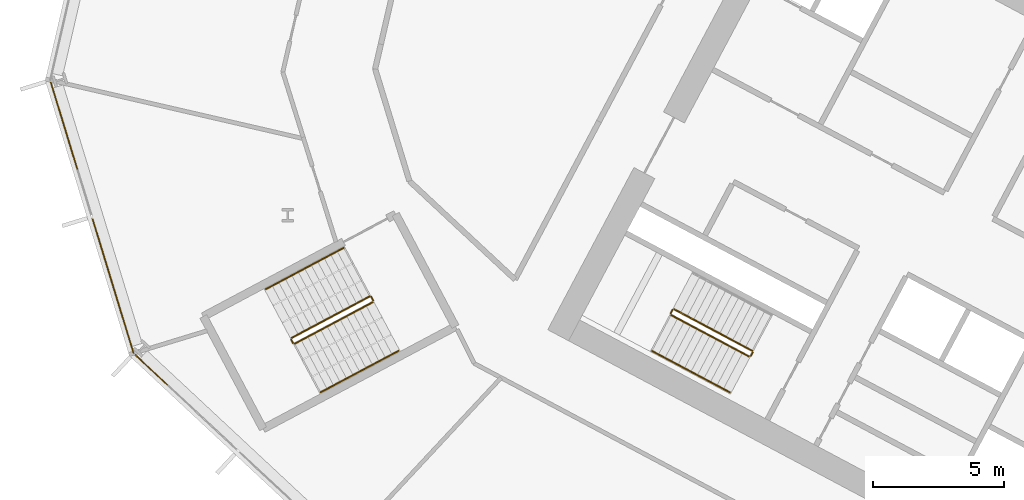
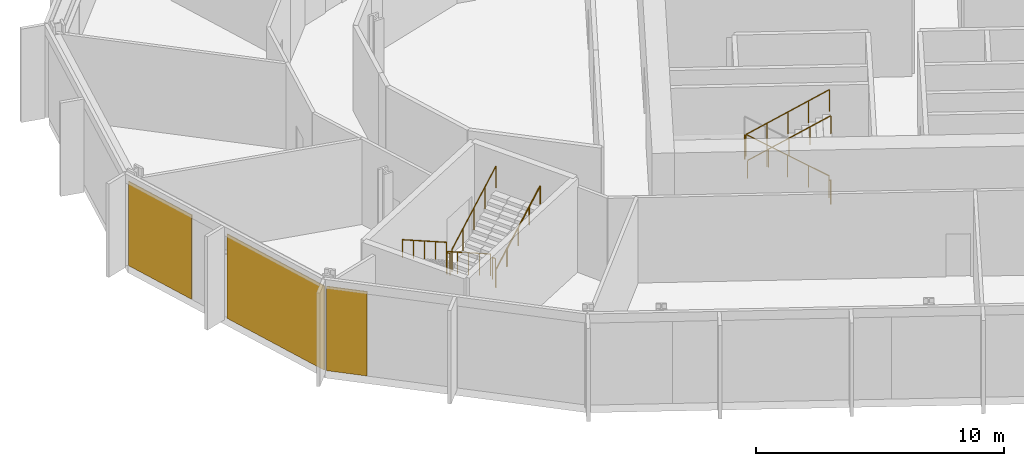
# One storey, part 22 of 30: 11 railings, 3 coverings, 2 elements without a shape of their own.
"""IFC4 building model written with IfcOpenShell, lengths in metres."""

from ifc_helpers import new_model, si_unit, direction, frame, origin, origin_2d, place, context, subcontext, project, spatial, polyline, rectangle, outline, extrude, material, layer, layer_set, type_object, element, aggregate, save


model = new_model("IFC4")

# Units and contexts
model_context = context("Model", 3, precision=1e-05, world=origin(), true_north=direction((0.0, 1.0)))
body_context = subcontext(model_context, "Body", "Model", "MODEL_VIEW")
ifc_project = project(units=[si_unit("LENGTHUNIT", "METRE"), si_unit("AREAUNIT", "SQUARE_METRE"), si_unit("VOLUMEUNIT", "CUBIC_METRE"), si_unit("PLANEANGLEUNIT", "RADIAN"), si_unit("MASSUNIT", "GRAM", prefix="KILO")], contexts=[model_context])

# Site, building, storey
site_placement = place(None, origin())
site = spatial("IfcSite", under=ifc_project, at=site_placement, CompositionType="ELEMENT")
building_placement = place(site_placement, origin())
building = spatial("IfcBuilding", under=site, at=building_placement, Name="Cormorant Relay Tower", CompositionType="ELEMENT")
storey_placement = place(building_placement, frame((0.0, 0.0, 89.199951171875)))
storey = spatial("IfcBuildingStorey", under=building, at=storey_placement, Name="L17", CompositionType="ELEMENT", Elevation=89.199951171875)

# Curtain wall, coverings
ifc_material_1 = material(Name="Aluminium 6063-T6 anodised bronze", Category="aluminium")
ifc_layer_1 = layer(ifc_material_1, 0.199951171875)
ifc_layer_set_1 = layer_set([ifc_layer_1], Name="CW1 unitised bronze curtain wall with vertical fins")
curtain_wall_type = type_object("IfcCurtainWallType", Name="CW1 unitised bronze curtain wall with vertical fins", PredefinedType="NOTDEFINED", material=ifc_layer_set_1)
curtain_wall_1_placement = place(storey_placement, origin())
curtain_wall_1 = element("IfcCurtainWall", 1, at=curtain_wall_1_placement, inside=storey, type_object=curtain_wall_type, Name="CW1 curtain wall 12", PredefinedType="NOTDEFINED")
ifc_material_2 = material(Name="Pale bronze anodised aluminium insulated panel", Category="aluminium")
ifc_layer_2 = layer(ifc_material_2, 0.0400390625)
ifc_layer_set_2 = layer_set([ifc_layer_2], Name="CW1 pale bronze insulated panel 40")
covering_type = type_object("IfcCoveringType", Name="CW1 pale bronze insulated panel 40", PredefinedType="CLADDING", material=ifc_layer_set_2)
covering_1_placement = place(storey_placement, frame((-60.20751953125, 18.6494140625, 0.0), z_axis=(0.0, 0.0, 1.0), x_axis=(0.292371704723, -0.956304755963, 0.0)))
covering_1 = element("IfcCovering", 2, at=covering_1_placement, type_object=covering_type, Name="CW1 panel S00", PredefinedType="CLADDING", context=body_context, shape_type="SweptSolid", body=[
    extrude(rectangle(XDim=3.485107421875, YDim=0.0400390625, at=origin_2d()), origin(), (0.0, 0.0, 1.0), 4.14990234375),
])
covering_2_placement = place(storey_placement, frame((-58.344482421875, 12.55517578125, 0.0), z_axis=(0.0, 0.0, 1.0), x_axis=(0.292371704723, -0.956304755963, 0.0)))
covering_2 = element("IfcCovering", 3, at=covering_2_placement, type_object=covering_type, Name="CW1 panel S02", PredefinedType="CLADDING", context=body_context, shape_type="SweptSolid", body=[
    extrude(rectangle(XDim=5.360107421875, YDim=0.0400390625, at=origin_2d()), origin(), (0.0, 0.0, 1.0), 4.14990234375),
])
aggregate(curtain_wall_1, [covering_1, covering_2])

# Curtain wall, covering
curtain_wall_2_placement = place(storey_placement, origin())
curtain_wall_2 = element("IfcCurtainWall", 4, at=curtain_wall_2_placement, inside=storey, type_object=curtain_wall_type, Name="CW1 curtain wall 13", PredefinedType="NOTDEFINED")
covering_3_placement = place(storey_placement, frame((-56.88427734375, 9.357421875, 0.0), z_axis=(0.0, 0.0, 1.0), x_axis=(0.731353701619, -0.681998360062, 0.0)))
covering_3 = element("IfcCovering", 5, at=covering_3_placement, type_object=covering_type, Name="CW1 panel S00", PredefinedType="CLADDING", context=body_context, shape_type="SweptSolid", body=[
    extrude(rectangle(XDim=1.685302734375, YDim=0.0400390625, at=origin_2d()), origin(), (0.0, 0.0, 1.0), 4.14990234375),
])
aggregate(curtain_wall_2, [covering_3])

# Railings
ifc_material_3 = material(Name="Steel ASTM A572 Grade 50 (Fy 345 MPa)", Category="steel")
railing_type_1 = type_object("IfcRailingType", Name="Stair guard 1100", PredefinedType="GUARDRAIL", material=ifc_material_3)
railing_1_placement = place(storey_placement, frame((-33.9921875, 10.08935546875, 0.177001953125)))
element("IfcRailing", 6, at=railing_1_placement, inside=storey, type_object=railing_type_1, Name="L17 A2 stair guard 1", PredefinedType="GUARDRAIL", context=body_context, shape_type="SweptSolid", body=[
    extrude(outline(polyline([(0.022216796875, 0.00927734375), (0.00927734375, 0.022216796875), (-0.00927734375, 0.022216796875), (-0.022216796875, 0.00927734375), (-0.022216796875, -0.00927734375), (-0.00927734375, -0.022216796875), (0.00927734375, -0.022216796875), (0.022216796875, -0.00927734375), (0.022216796875, 0.00927734375)])), frame((0.0, 0.0, 1.076171875), z_axis=(-0.746440668329, 0.396869088057, 0.534154711306), x_axis=(-0.46945269911, -0.882957622595, 0.0)), (0.0, 0.0, 1.0), 3.974609375),
    extrude(outline(polyline([(0.019287109375, 0.008056640625), (0.008056640625, 0.019287109375), (-0.008056640625, 0.019287109375), (-0.019287109375, 0.008056640625), (-0.019287109375, -0.008056640625), (-0.008056640625, -0.019287109375), (0.008056640625, -0.019287109375), (0.019287109375, -0.008056640625), (0.019287109375, 0.008056640625)])), origin(), (0.0, 0.0, 1.0), 1.052001953125),
    extrude(outline(polyline([(0.019287109375, 0.008056640625), (0.008056640625, 0.019287109375), (-0.008056640625, 0.019287109375), (-0.019287109375, 0.008056640625), (-0.019287109375, -0.008056640625), (-0.008056640625, -0.019287109375), (0.008056640625, -0.019287109375), (0.019287109375, -0.008056640625), (0.019287109375, 0.008056640625)])), frame((-0.74169921875, 0.394287109375, 0.53076171875)), (0.0, 0.0, 1.0), 1.052001953125),
    extrude(outline(polyline([(0.019287109375, 0.008056640625), (0.008056640625, 0.019287109375), (-0.008056640625, 0.019287109375), (-0.019287109375, 0.008056640625), (-0.019287109375, -0.008056640625), (-0.008056640625, -0.019287109375), (0.008056640625, -0.019287109375), (0.019287109375, -0.008056640625), (0.019287109375, 0.008056640625)])), frame((-1.4833984375, 0.78857421875, 1.0615234375)), (0.0, 0.0, 1.0), 1.052001953125),
    extrude(outline(polyline([(0.019287109375, 0.008056640625), (0.008056640625, 0.019287109375), (-0.008056640625, 0.019287109375), (-0.019287109375, 0.008056640625), (-0.019287109375, -0.008056640625), (-0.008056640625, -0.019287109375), (0.008056640625, -0.019287109375), (0.019287109375, -0.008056640625), (0.019287109375, 0.008056640625)])), frame((-2.22509765625, 1.18310546875, 1.59228515625)), (0.0, 0.0, 1.0), 1.052001953125),
    extrude(outline(polyline([(0.019287109375, 0.008056640625), (0.008056640625, 0.019287109375), (-0.008056640625, 0.019287109375), (-0.019287109375, 0.008056640625), (-0.019287109375, -0.008056640625), (-0.008056640625, -0.019287109375), (0.008056640625, -0.019287109375), (0.019287109375, -0.008056640625), (0.019287109375, 0.008056640625)])), frame((-2.966796875, 1.577392578125, 2.123046875)), (0.0, 0.0, 1.0), 1.052001953125),
])
railing_2_placement = place(storey_placement, frame((-37.026611328125, 11.64599609375, 2.300048828125)))
element("IfcRailing", 7, at=railing_2_placement, inside=storey, type_object=railing_type_1, Name="L17 A2 stair guard 2", PredefinedType="GUARDRAIL", context=body_context, shape_type="SweptSolid", body=[
    extrude(outline(polyline([(0.022216796875, 0.00927734375), (0.00927734375, 0.022216796875), (-0.00927734375, 0.022216796875), (-0.022216796875, 0.00927734375), (-0.022216796875, -0.00927734375), (-0.00927734375, -0.022216796875), (0.00927734375, -0.022216796875), (0.022216796875, -0.00927734375), (0.022216796875, 0.00927734375)])), frame((0.0, 0.0, 1.076171875), z_axis=(-0.469234640946, -0.883073525669, 0.0), x_axis=(0.883073525669, -0.469234640946, 0.0)), (0.0, 0.0, 1.0), 0.14990234375),
    extrude(outline(polyline([(0.019287109375, 0.008056640625), (0.008056640625, 0.019287109375), (-0.008056640625, 0.019287109375), (-0.019287109375, 0.008056640625), (-0.019287109375, -0.008056640625), (-0.008056640625, -0.019287109375), (0.008056640625, -0.019287109375), (0.019287109375, -0.008056640625), (0.019287109375, 0.008056640625)])), origin(), (0.0, 0.0, 1.0), 1.052001953125),
    extrude(outline(polyline([(0.019287109375, 0.008056640625), (0.008056640625, 0.019287109375), (-0.008056640625, 0.019287109375), (-0.019287109375, 0.008056640625), (-0.019287109375, -0.008056640625), (-0.008056640625, -0.019287109375), (0.008056640625, -0.019287109375), (0.019287109375, -0.008056640625), (0.019287109375, 0.008056640625)])), frame((-0.0703125, -0.13232421875, 0.0)), (0.0, 0.0, 1.0), 1.052001953125),
])
railing_3_placement = place(storey_placement, frame((-37.076171875, 11.446044921875, 2.47705078125)))
element("IfcRailing", 8, at=railing_3_placement, inside=storey, type_object=railing_type_1, Name="L17 A2 stair guard 3", PredefinedType="GUARDRAIL", context=body_context, shape_type="SweptSolid", body=[
    extrude(outline(polyline([(0.022216796875, 0.00927734375), (0.00927734375, 0.022216796875), (-0.00927734375, 0.022216796875), (-0.022216796875, 0.00927734375), (-0.022216796875, -0.00927734375), (-0.00927734375, -0.022216796875), (0.00927734375, -0.022216796875), (0.022216796875, -0.00927734375), (0.022216796875, 0.00927734375)])), frame((0.0, 0.0, 1.076171875), z_axis=(0.746413465702, -0.396887285154, 0.534179203172), x_axis=(0.469482818608, 0.88294160794, 0.0)), (0.0, 0.0, 1.0), 3.974365234375),
    extrude(outline(polyline([(0.019287109375, 0.008056640625), (0.008056640625, 0.019287109375), (-0.008056640625, 0.019287109375), (-0.019287109375, 0.008056640625), (-0.019287109375, -0.008056640625), (-0.008056640625, -0.019287109375), (0.008056640625, -0.019287109375), (0.019287109375, -0.008056640625), (0.019287109375, 0.008056640625)])), origin(), (0.0, 0.0, 1.0), 1.052001953125),
    extrude(outline(polyline([(0.019287109375, 0.008056640625), (0.008056640625, 0.019287109375), (-0.008056640625, 0.019287109375), (-0.019287109375, 0.008056640625), (-0.019287109375, -0.008056640625), (-0.008056640625, -0.019287109375), (0.008056640625, -0.019287109375), (0.019287109375, -0.008056640625), (0.019287109375, 0.008056640625)])), frame((0.74169921875, -0.394287109375, 0.53076171875)), (0.0, 0.0, 1.0), 1.052001953125),
    extrude(outline(polyline([(0.019287109375, 0.008056640625), (0.008056640625, 0.019287109375), (-0.008056640625, 0.019287109375), (-0.019287109375, 0.008056640625), (-0.019287109375, -0.008056640625), (-0.008056640625, -0.019287109375), (0.008056640625, -0.019287109375), (0.019287109375, -0.008056640625), (0.019287109375, 0.008056640625)])), frame((1.4833984375, -0.78857421875, 1.0615234375)), (0.0, 0.0, 1.0), 1.052001953125),
    extrude(outline(polyline([(0.019287109375, 0.008056640625), (0.008056640625, 0.019287109375), (-0.008056640625, 0.019287109375), (-0.019287109375, 0.008056640625), (-0.019287109375, -0.008056640625), (-0.008056640625, -0.019287109375), (0.008056640625, -0.019287109375), (0.019287109375, -0.008056640625), (0.019287109375, 0.008056640625)])), frame((2.224853515625, -1.18310546875, 1.59228515625)), (0.0, 0.0, 1.0), 1.052001953125),
    extrude(outline(polyline([(0.019287109375, 0.008056640625), (0.008056640625, 0.019287109375), (-0.008056640625, 0.019287109375), (-0.019287109375, 0.008056640625), (-0.019287109375, -0.008056640625), (-0.008056640625, -0.019287109375), (0.008056640625, -0.019287109375), (0.019287109375, -0.008056640625), (0.019287109375, 0.008056640625)])), frame((2.966552734375, -1.577392578125, 2.123046875)), (0.0, 0.0, 1.0), 1.052001953125),
])
railing_4_placement = place(storey_placement, frame((-33.971435546875, 10.021728515625, 0.0)))
element("IfcRailing", 9, at=railing_4_placement, inside=storey, type_object=railing_type_1, Name="L17 A2 stair guard 4", PredefinedType="GUARDRAIL", context=body_context, shape_type="SweptSolid", body=[
    extrude(outline(polyline([(0.022216796875, 0.00927734375), (0.00927734375, 0.022216796875), (-0.00927734375, 0.022216796875), (-0.022216796875, 0.00927734375), (-0.022216796875, -0.00927734375), (-0.00927734375, -0.022216796875), (0.00927734375, -0.022216796875), (0.022216796875, -0.00927734375), (0.022216796875, 0.00927734375)])), frame((0.0, 0.0, 1.076171875), z_axis=(-0.470503732759, -0.882398003998, 0.0), x_axis=(0.882398003998, -0.470503732759, 0.0)), (0.0, 0.0, 1.0), 0.14990234375),
    extrude(outline(polyline([(0.019287109375, 0.008056640625), (0.008056640625, 0.019287109375), (-0.008056640625, 0.019287109375), (-0.019287109375, 0.008056640625), (-0.019287109375, -0.008056640625), (-0.008056640625, -0.019287109375), (0.008056640625, -0.019287109375), (0.019287109375, -0.008056640625), (0.019287109375, 0.008056640625)])), origin(), (0.0, 0.0, 1.0), 1.052001953125),
    extrude(outline(polyline([(0.019287109375, 0.008056640625), (0.008056640625, 0.019287109375), (-0.008056640625, 0.019287109375), (-0.019287109375, 0.008056640625), (-0.019287109375, -0.008056640625), (-0.008056640625, -0.019287109375), (0.008056640625, -0.019287109375), (0.019287109375, -0.008056640625), (0.019287109375, 0.008056640625)])), frame((-0.070556640625, -0.13232421875, 0.0)), (0.0, 0.0, 1.0), 1.052001953125),
])
railing_5_placement = place(storey_placement, frame((-48.5693359375, 12.155517578125, 0.177001953125)))
element("IfcRailing", 10, at=railing_5_placement, inside=storey, type_object=railing_type_1, Name="L17 RP1 stair guard 1", PredefinedType="GUARDRAIL", context=body_context, shape_type="SweptSolid", body=[
    extrude(outline(polyline([(0.022216796875, 0.00927734375), (0.00927734375, 0.022216796875), (-0.00927734375, 0.022216796875), (-0.022216796875, 0.00927734375), (-0.022216796875, -0.00927734375), (-0.00927734375, -0.022216796875), (0.00927734375, -0.022216796875), (0.022216796875, -0.00927734375), (0.022216796875, 0.00927734375)])), frame((0.0, 0.0, 1.076171875), z_axis=(-0.746422470992, -0.396920836698, 0.534141689248), x_axis=(0.469509342547, -0.882927503967, 0.0)), (0.0, 0.0, 1.0), 3.974609375),
    extrude(outline(polyline([(0.019287109375, 0.008056640625), (0.008056640625, 0.019287109375), (-0.008056640625, 0.019287109375), (-0.019287109375, 0.008056640625), (-0.019287109375, -0.008056640625), (-0.008056640625, -0.019287109375), (0.008056640625, -0.019287109375), (0.019287109375, -0.008056640625), (0.019287109375, 0.008056640625)])), origin(), (0.0, 0.0, 1.0), 1.052001953125),
    extrude(outline(polyline([(0.019287109375, 0.008056640625), (0.008056640625, 0.019287109375), (-0.008056640625, 0.019287109375), (-0.019287109375, 0.008056640625), (-0.019287109375, -0.008056640625), (-0.008056640625, -0.019287109375), (0.008056640625, -0.019287109375), (0.019287109375, -0.008056640625), (0.019287109375, 0.008056640625)])), frame((-0.74169921875, -0.39453125, 0.53076171875)), (0.0, 0.0, 1.0), 1.052001953125),
    extrude(outline(polyline([(0.019287109375, 0.008056640625), (0.008056640625, 0.019287109375), (-0.008056640625, 0.019287109375), (-0.019287109375, 0.008056640625), (-0.019287109375, -0.008056640625), (-0.008056640625, -0.019287109375), (0.008056640625, -0.019287109375), (0.019287109375, -0.008056640625), (0.019287109375, 0.008056640625)])), frame((-1.4833984375, -0.788818359375, 1.0615234375)), (0.0, 0.0, 1.0), 1.052001953125),
    extrude(outline(polyline([(0.019287109375, 0.008056640625), (0.008056640625, 0.019287109375), (-0.008056640625, 0.019287109375), (-0.019287109375, 0.008056640625), (-0.019287109375, -0.008056640625), (-0.008056640625, -0.019287109375), (0.008056640625, -0.019287109375), (0.019287109375, -0.008056640625), (0.019287109375, 0.008056640625)])), frame((-2.22509765625, -1.18310546875, 1.59228515625)), (0.0, 0.0, 1.0), 1.052001953125),
    extrude(outline(polyline([(0.019287109375, 0.008056640625), (0.008056640625, 0.019287109375), (-0.008056640625, 0.019287109375), (-0.019287109375, 0.008056640625), (-0.019287109375, -0.008056640625), (-0.008056640625, -0.019287109375), (0.008056640625, -0.019287109375), (0.019287109375, -0.008056640625), (0.019287109375, 0.008056640625)])), frame((-2.966796875, -1.57763671875, 2.123046875)), (0.0, 0.0, 1.0), 1.052001953125),
])
railing_6_placement = place(storey_placement, frame((-51.556640625, 10.51025390625, 2.300048828125)))
element("IfcRailing", 11, at=railing_6_placement, inside=storey, type_object=railing_type_1, Name="L17 RP1 stair guard 2", PredefinedType="GUARDRAIL", context=body_context, shape_type="SweptSolid", body=[
    extrude(outline(polyline([(0.022216796875, 0.00927734375), (0.00927734375, 0.022216796875), (-0.00927734375, 0.022216796875), (-0.022216796875, 0.00927734375), (-0.022216796875, -0.00927734375), (-0.00927734375, -0.022216796875), (0.00927734375, -0.022216796875), (0.022216796875, -0.00927734375), (0.022216796875, 0.00927734375)])), frame((0.0, 0.0, 1.076171875), z_axis=(0.469234640946, -0.883073525669, 0.0), x_axis=(0.883073525669, 0.469234640946, 0.0)), (0.0, 0.0, 1.0), 0.14990234375),
    extrude(outline(polyline([(0.019287109375, 0.008056640625), (0.008056640625, 0.019287109375), (-0.008056640625, 0.019287109375), (-0.019287109375, 0.008056640625), (-0.019287109375, -0.008056640625), (-0.008056640625, -0.019287109375), (0.008056640625, -0.019287109375), (0.019287109375, -0.008056640625), (0.019287109375, 0.008056640625)])), origin(), (0.0, 0.0, 1.0), 1.052001953125),
    extrude(outline(polyline([(0.019287109375, 0.008056640625), (0.008056640625, 0.019287109375), (-0.008056640625, 0.019287109375), (-0.019287109375, 0.008056640625), (-0.019287109375, -0.008056640625), (-0.008056640625, -0.019287109375), (0.008056640625, -0.019287109375), (0.019287109375, -0.008056640625), (0.019287109375, 0.008056640625)])), frame((0.0703125, -0.13232421875, 0.0)), (0.0, 0.0, 1.0), 1.052001953125),
])
railing_7_placement = place(storey_placement, frame((-51.418701171875, 10.357177734375, 2.47705078125)))
element("IfcRailing", 12, at=railing_7_placement, inside=storey, type_object=railing_type_1, Name="L17 RP1 stair guard 3", PredefinedType="GUARDRAIL", context=body_context, shape_type="SweptSolid", body=[
    extrude(outline(polyline([(0.022216796875, 0.00927734375), (0.00927734375, 0.022216796875), (-0.00927734375, 0.022216796875), (-0.022216796875, 0.00927734375), (-0.022216796875, -0.00927734375), (-0.00927734375, -0.022216796875), (0.00927734375, -0.022216796875), (0.022216796875, -0.00927734375), (0.022216796875, 0.00927734375)])), frame((0.0, 0.0, 1.076171875), z_axis=(0.746440668329, 0.396869088057, 0.534154711306), x_axis=(-0.46945269911, 0.882957622595, 0.0)), (0.0, 0.0, 1.0), 3.974609375),
    extrude(outline(polyline([(0.019287109375, 0.008056640625), (0.008056640625, 0.019287109375), (-0.008056640625, 0.019287109375), (-0.019287109375, 0.008056640625), (-0.019287109375, -0.008056640625), (-0.008056640625, -0.019287109375), (0.008056640625, -0.019287109375), (0.019287109375, -0.008056640625), (0.019287109375, 0.008056640625)])), origin(), (0.0, 0.0, 1.0), 1.052001953125),
    extrude(outline(polyline([(0.019287109375, 0.008056640625), (0.008056640625, 0.019287109375), (-0.008056640625, 0.019287109375), (-0.019287109375, 0.008056640625), (-0.019287109375, -0.008056640625), (-0.008056640625, -0.019287109375), (0.008056640625, -0.019287109375), (0.019287109375, -0.008056640625), (0.019287109375, 0.008056640625)])), frame((0.74169921875, 0.394287109375, 0.53076171875)), (0.0, 0.0, 1.0), 1.052001953125),
    extrude(outline(polyline([(0.019287109375, 0.008056640625), (0.008056640625, 0.019287109375), (-0.008056640625, 0.019287109375), (-0.019287109375, 0.008056640625), (-0.019287109375, -0.008056640625), (-0.008056640625, -0.019287109375), (0.008056640625, -0.019287109375), (0.019287109375, -0.008056640625), (0.019287109375, 0.008056640625)])), frame((1.4833984375, 0.78857421875, 1.0615234375)), (0.0, 0.0, 1.0), 1.052001953125),
    extrude(outline(polyline([(0.019287109375, 0.008056640625), (0.008056640625, 0.019287109375), (-0.008056640625, 0.019287109375), (-0.019287109375, 0.008056640625), (-0.019287109375, -0.008056640625), (-0.008056640625, -0.019287109375), (0.008056640625, -0.019287109375), (0.019287109375, -0.008056640625), (0.019287109375, 0.008056640625)])), frame((2.22509765625, 1.18310546875, 1.59228515625)), (0.0, 0.0, 1.0), 1.052001953125),
    extrude(outline(polyline([(0.019287109375, 0.008056640625), (0.008056640625, 0.019287109375), (-0.008056640625, 0.019287109375), (-0.019287109375, 0.008056640625), (-0.019287109375, -0.008056640625), (-0.008056640625, -0.019287109375), (0.008056640625, -0.019287109375), (0.019287109375, -0.008056640625), (0.019287109375, 0.008056640625)])), frame((2.966796875, 1.577392578125, 2.123046875)), (0.0, 0.0, 1.0), 1.052001953125),
])
railing_8_placement = place(storey_placement, frame((-48.501708984375, 12.134765625, 0.0)))
element("IfcRailing", 13, at=railing_8_placement, inside=storey, type_object=railing_type_1, Name="L17 RP1 stair guard 4", PredefinedType="GUARDRAIL", context=body_context, shape_type="SweptSolid", body=[
    extrude(outline(polyline([(0.022216796875, 0.00927734375), (0.00927734375, 0.022216796875), (-0.00927734375, 0.022216796875), (-0.022216796875, 0.00927734375), (-0.022216796875, -0.00927734375), (-0.00927734375, -0.022216796875), (0.00927734375, -0.022216796875), (0.022216796875, -0.00927734375), (0.022216796875, 0.00927734375)])), frame((0.0, 0.0, 1.076171875), z_axis=(0.46856034887, -0.8834314911, 0.0), x_axis=(0.8834314911, 0.46856034887, 0.0)), (0.0, 0.0, 1.0), 0.150146484375),
    extrude(outline(polyline([(0.019287109375, 0.008056640625), (0.008056640625, 0.019287109375), (-0.008056640625, 0.019287109375), (-0.019287109375, 0.008056640625), (-0.019287109375, -0.008056640625), (-0.008056640625, -0.019287109375), (0.008056640625, -0.019287109375), (0.019287109375, -0.008056640625), (0.019287109375, 0.008056640625)])), origin(), (0.0, 0.0, 1.0), 1.052001953125),
    extrude(outline(polyline([(0.019287109375, 0.008056640625), (0.008056640625, 0.019287109375), (-0.008056640625, 0.019287109375), (-0.019287109375, 0.008056640625), (-0.019287109375, -0.008056640625), (-0.008056640625, -0.019287109375), (0.008056640625, -0.019287109375), (0.019287109375, -0.008056640625), (0.019287109375, 0.008056640625)])), frame((0.0703125, -0.132568359375, 0.0)), (0.0, 0.0, 1.0), 1.052001953125),
])
ifc_material_4 = material(Name="Steel ASTM A572 Grade 50 (Fy 345 MPa)", Category="steel")
railing_type_2 = type_object("IfcRailingType", Name="Stair handrail 900", PredefinedType="HANDRAIL", material=ifc_material_4)
railing_9_placement = place(storey_placement, frame((-37.803955078125, 10.077392578125, 2.47705078125)))
element("IfcRailing", 14, at=railing_9_placement, inside=storey, type_object=railing_type_2, Name="L17 A2 stair handrail 2", PredefinedType="HANDRAIL", context=body_context, shape_type="SweptSolid", body=[
    extrude(outline(polyline([(0.022216796875, 0.00927734375), (0.00927734375, 0.022216796875), (-0.00927734375, 0.022216796875), (-0.022216796875, 0.00927734375), (-0.022216796875, -0.00927734375), (-0.00927734375, -0.022216796875), (0.00927734375, -0.022216796875), (0.022216796875, -0.00927734375), (0.022216796875, 0.00927734375)])), frame((0.0, 0.0, 0.8759765625), z_axis=(0.746440668329, -0.396869088057, 0.534154711306), x_axis=(0.46945269911, 0.882957622595, 0.0)), (0.0, 0.0, 1.0), 3.974609375),
    extrude(outline(polyline([(0.019287109375, 0.008056640625), (0.008056640625, 0.019287109375), (-0.008056640625, 0.019287109375), (-0.019287109375, 0.008056640625), (-0.019287109375, -0.008056640625), (-0.008056640625, -0.019287109375), (0.008056640625, -0.019287109375), (0.019287109375, -0.008056640625), (0.019287109375, 0.008056640625)])), origin(), (0.0, 0.0, 1.0), 0.851806640625),
    extrude(outline(polyline([(0.019287109375, 0.008056640625), (0.008056640625, 0.019287109375), (-0.008056640625, 0.019287109375), (-0.019287109375, 0.008056640625), (-0.019287109375, -0.008056640625), (-0.008056640625, -0.019287109375), (0.008056640625, -0.019287109375), (0.019287109375, -0.008056640625), (0.019287109375, 0.008056640625)])), frame((0.74169921875, -0.394287109375, 0.53076171875)), (0.0, 0.0, 1.0), 0.851806640625),
    extrude(outline(polyline([(0.019287109375, 0.008056640625), (0.008056640625, 0.019287109375), (-0.008056640625, 0.019287109375), (-0.019287109375, 0.008056640625), (-0.019287109375, -0.008056640625), (-0.008056640625, -0.019287109375), (0.008056640625, -0.019287109375), (0.019287109375, -0.008056640625), (0.019287109375, 0.008056640625)])), frame((1.4833984375, -0.78857421875, 1.0615234375)), (0.0, 0.0, 1.0), 0.851806640625),
    extrude(outline(polyline([(0.019287109375, 0.008056640625), (0.008056640625, 0.019287109375), (-0.008056640625, 0.019287109375), (-0.019287109375, 0.008056640625), (-0.019287109375, -0.008056640625), (-0.008056640625, -0.019287109375), (0.008056640625, -0.019287109375), (0.019287109375, -0.008056640625), (0.019287109375, 0.008056640625)])), frame((2.22509765625, -1.18310546875, 1.59228515625)), (0.0, 0.0, 1.0), 0.851806640625),
    extrude(outline(polyline([(0.019287109375, 0.008056640625), (0.008056640625, 0.019287109375), (-0.008056640625, 0.019287109375), (-0.019287109375, 0.008056640625), (-0.019287109375, -0.008056640625), (-0.008056640625, -0.019287109375), (0.008056640625, -0.019287109375), (0.019287109375, -0.008056640625), (0.019287109375, 0.008056640625)])), frame((2.966796875, -1.577392578125, 2.123046875)), (0.0, 0.0, 1.0), 0.851806640625),
])
railing_10_placement = place(storey_placement, frame((-49.55517578125, 14.009521484375, 0.177001953125)))
element("IfcRailing", 15, at=railing_10_placement, inside=storey, type_object=railing_type_2, Name="L17 RP1 stair handrail 1", PredefinedType="HANDRAIL", context=body_context, shape_type="SweptSolid", body=[
    extrude(outline(polyline([(0.022216796875, 0.00927734375), (0.00927734375, 0.022216796875), (-0.00927734375, 0.022216796875), (-0.022216796875, 0.00927734375), (-0.022216796875, -0.00927734375), (-0.00927734375, -0.022216796875), (0.00927734375, -0.022216796875), (0.022216796875, -0.00927734375), (0.022216796875, 0.00927734375)])), frame((0.0, 0.0, 0.8759765625), z_axis=(-0.746440668329, -0.396869088057, 0.534154711306), x_axis=(0.46945269911, -0.882957622595, 0.0)), (0.0, 0.0, 1.0), 3.974609375),
    extrude(outline(polyline([(0.019287109375, 0.008056640625), (0.008056640625, 0.019287109375), (-0.008056640625, 0.019287109375), (-0.019287109375, 0.008056640625), (-0.019287109375, -0.008056640625), (-0.008056640625, -0.019287109375), (0.008056640625, -0.019287109375), (0.019287109375, -0.008056640625), (0.019287109375, 0.008056640625)])), origin(), (0.0, 0.0, 1.0), 0.851806640625),
    extrude(outline(polyline([(0.019287109375, 0.008056640625), (0.008056640625, 0.019287109375), (-0.008056640625, 0.019287109375), (-0.019287109375, 0.008056640625), (-0.019287109375, -0.008056640625), (-0.008056640625, -0.019287109375), (0.008056640625, -0.019287109375), (0.019287109375, -0.008056640625), (0.019287109375, 0.008056640625)])), frame((-0.74169921875, -0.394287109375, 0.53076171875)), (0.0, 0.0, 1.0), 0.851806640625),
    extrude(outline(polyline([(0.019287109375, 0.008056640625), (0.008056640625, 0.019287109375), (-0.008056640625, 0.019287109375), (-0.019287109375, 0.008056640625), (-0.019287109375, -0.008056640625), (-0.008056640625, -0.019287109375), (0.008056640625, -0.019287109375), (0.019287109375, -0.008056640625), (0.019287109375, 0.008056640625)])), frame((-1.4833984375, -0.78857421875, 1.0615234375)), (0.0, 0.0, 1.0), 0.851806640625),
    extrude(outline(polyline([(0.019287109375, 0.008056640625), (0.008056640625, 0.019287109375), (-0.008056640625, 0.019287109375), (-0.019287109375, 0.008056640625), (-0.019287109375, -0.008056640625), (-0.008056640625, -0.019287109375), (0.008056640625, -0.019287109375), (0.019287109375, -0.008056640625), (0.019287109375, 0.008056640625)])), frame((-2.22509765625, -1.18310546875, 1.59228515625)), (0.0, 0.0, 1.0), 0.851806640625),
    extrude(outline(polyline([(0.019287109375, 0.008056640625), (0.008056640625, 0.019287109375), (-0.008056640625, 0.019287109375), (-0.019287109375, 0.008056640625), (-0.019287109375, -0.008056640625), (-0.008056640625, -0.019287109375), (0.008056640625, -0.019287109375), (0.019287109375, -0.008056640625), (0.019287109375, 0.008056640625)])), frame((-2.966796875, -1.577392578125, 2.123046875)), (0.0, 0.0, 1.0), 0.851806640625),
])
railing_11_placement = place(storey_placement, frame((-50.432861328125, 8.503173828125, 2.47705078125)))
element("IfcRailing", 16, at=railing_11_placement, inside=storey, type_object=railing_type_2, Name="L17 RP1 stair handrail 2", PredefinedType="HANDRAIL", context=body_context, shape_type="SweptSolid", body=[
    extrude(outline(polyline([(0.022216796875, 0.00927734375), (0.00927734375, 0.022216796875), (-0.00927734375, 0.022216796875), (-0.022216796875, 0.00927734375), (-0.022216796875, -0.00927734375), (-0.00927734375, -0.022216796875), (0.00927734375, -0.022216796875), (0.022216796875, -0.00927734375), (0.022216796875, 0.00927734375)])), frame((0.0, 0.0, 0.8759765625), z_axis=(0.746440668329, 0.396869088057, 0.534154711306), x_axis=(-0.46945269911, 0.882957622595, 0.0)), (0.0, 0.0, 1.0), 3.974609375),
    extrude(outline(polyline([(0.019287109375, 0.008056640625), (0.008056640625, 0.019287109375), (-0.008056640625, 0.019287109375), (-0.019287109375, 0.008056640625), (-0.019287109375, -0.008056640625), (-0.008056640625, -0.019287109375), (0.008056640625, -0.019287109375), (0.019287109375, -0.008056640625), (0.019287109375, 0.008056640625)])), origin(), (0.0, 0.0, 1.0), 0.851806640625),
    extrude(outline(polyline([(0.019287109375, 0.008056640625), (0.008056640625, 0.019287109375), (-0.008056640625, 0.019287109375), (-0.019287109375, 0.008056640625), (-0.019287109375, -0.008056640625), (-0.008056640625, -0.019287109375), (0.008056640625, -0.019287109375), (0.019287109375, -0.008056640625), (0.019287109375, 0.008056640625)])), frame((0.74169921875, 0.394287109375, 0.53076171875)), (0.0, 0.0, 1.0), 0.851806640625),
    extrude(outline(polyline([(0.019287109375, 0.008056640625), (0.008056640625, 0.019287109375), (-0.008056640625, 0.019287109375), (-0.019287109375, 0.008056640625), (-0.019287109375, -0.008056640625), (-0.008056640625, -0.019287109375), (0.008056640625, -0.019287109375), (0.019287109375, -0.008056640625), (0.019287109375, 0.008056640625)])), frame((1.4833984375, 0.78857421875, 1.0615234375)), (0.0, 0.0, 1.0), 0.851806640625),
    extrude(outline(polyline([(0.019287109375, 0.008056640625), (0.008056640625, 0.019287109375), (-0.008056640625, 0.019287109375), (-0.019287109375, 0.008056640625), (-0.019287109375, -0.008056640625), (-0.008056640625, -0.019287109375), (0.008056640625, -0.019287109375), (0.019287109375, -0.008056640625), (0.019287109375, 0.008056640625)])), frame((2.22509765625, 1.18310546875, 1.59228515625)), (0.0, 0.0, 1.0), 0.851806640625),
    extrude(outline(polyline([(0.019287109375, 0.008056640625), (0.008056640625, 0.019287109375), (-0.008056640625, 0.019287109375), (-0.019287109375, 0.008056640625), (-0.019287109375, -0.008056640625), (-0.008056640625, -0.019287109375), (0.008056640625, -0.019287109375), (0.019287109375, -0.008056640625), (0.019287109375, 0.008056640625)])), frame((2.966796875, 1.577392578125, 2.123046875)), (0.0, 0.0, 1.0), 0.851806640625),
])

save(model, "model.ifc")
